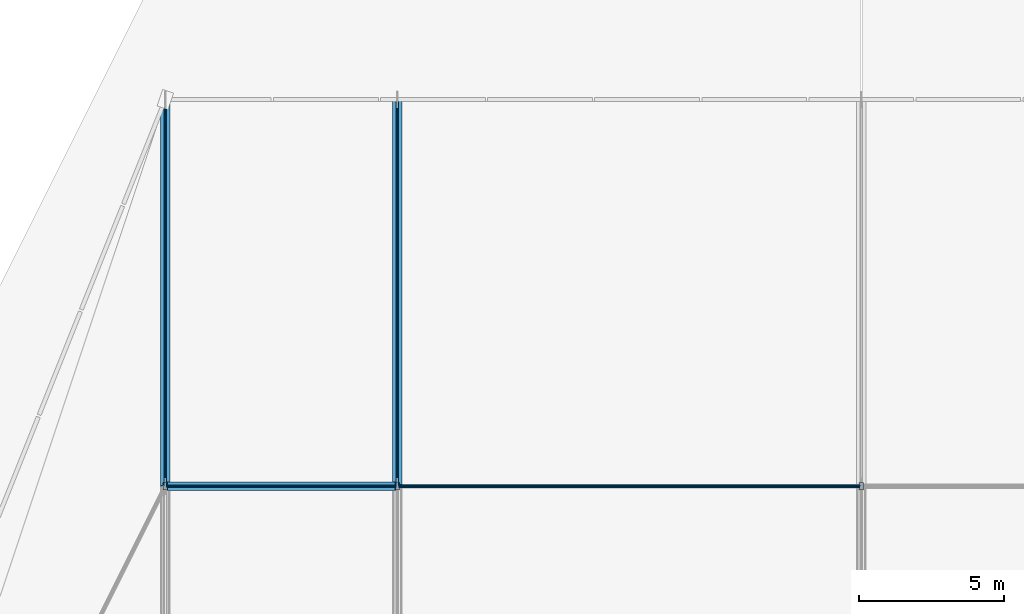
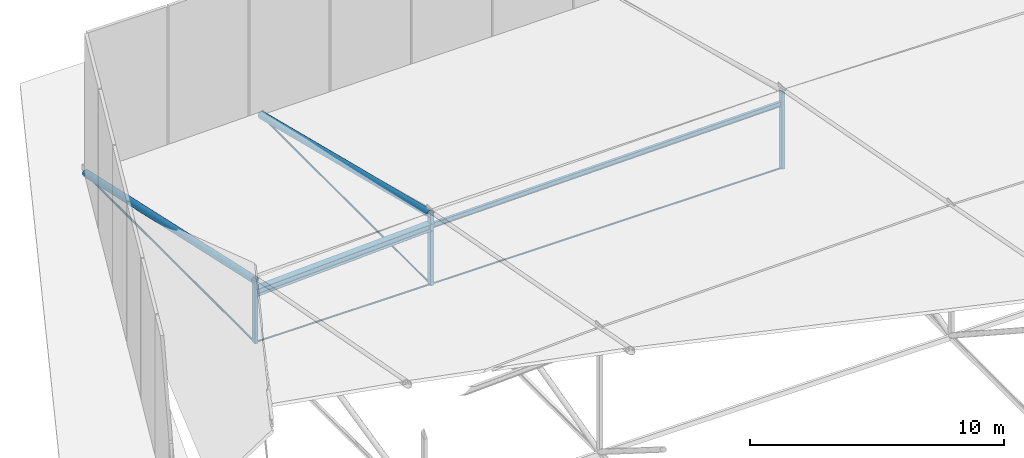
# One storey, part 18 of 30: 11 members.
"""IFC4 building model written with IfcOpenShell, lengths in metres."""

from ifc_helpers import new_model, si_unit, direction, frame, origin, origin_2d, place, context, subcontext, project, spatial, hollow_rectangle, circle, hollow_circle, i_section, extrude, material, material_profile, profile_set, type_object, element, save


model = new_model("IFC4")

# Units and contexts
model_context = context("Model", 3, precision=1e-05, world=origin(), true_north=direction((0.0, 1.0)))
body_context = subcontext(model_context, "Body", "Model", "MODEL_VIEW")
ifc_project = project(units=[si_unit("LENGTHUNIT", "METRE"), si_unit("AREAUNIT", "SQUARE_METRE"), si_unit("VOLUMEUNIT", "CUBIC_METRE"), si_unit("PLANEANGLEUNIT", "RADIAN"), si_unit("MASSUNIT", "GRAM", prefix="KILO")], contexts=[model_context])

# Site, building, storey
site_placement = place(None, origin())
site = spatial("IfcSite", under=ifc_project, at=site_placement, CompositionType="ELEMENT")
building_placement = place(site_placement, origin())
building = spatial("IfcBuilding", under=site, at=building_placement, Name="Tazarka Park Arena", CompositionType="ELEMENT")
storey_placement = place(building_placement, frame((0.0, 0.0, 29.39990234375)))
storey = spatial("IfcBuildingStorey", under=building, at=storey_placement, Name="Roof", CompositionType="ELEMENT", Elevation=29.39990234375)

# Members
ifc_material_1 = material(Name="Locked-coil steel cable S1570", Category="steel")
ifc_material_profile_1 = material_profile(ifc_material_1, circle(Radius=0.0400390625, at=origin_2d()), Name="Locked-coil steel cable S1570")
ifc_profile_set_1 = profile_set([ifc_material_profile_1], Name="Locked-coil steel cable S1570")
member_type_1 = type_object("IfcMemberType", Name="MEM-CBL-01", PredefinedType="USERDEFINED", material=ifc_profile_set_1)
member_1_placement = place(storey_placement, frame((72.0, 90.666748046875, -0.0498046875), z_axis=(0.0, 1.0, 0.0), x_axis=(-1.0, 0.0, 0.0)))
element("IfcMember", 1, at=member_1_placement, inside=storey, type_object=member_type_1, Name="CABLE CBL-01-4-6", ObjectType="CABLE", PredefinedType="USERDEFINED", context=body_context, shape_type="SweptSolid", body=[
    extrude(circle(Radius=0.0400390625, at=origin_2d()), origin(), (0.0, 0.0, 1.0), 13.333251953125),
])
member_2_placement = place(storey_placement, frame((64.0, 90.666748046875, -0.0498046875), z_axis=(1.0, 0.0, 0.0), x_axis=(0.0, 1.0, 0.0)))
element("IfcMember", 2, at=member_2_placement, inside=storey, type_object=member_type_1, Name="CABLE TRANSVERSE 3-5", ObjectType="CABLE", PredefinedType="USERDEFINED", context=body_context, shape_type="SweptSolid", body=[
    extrude(circle(Radius=0.0400390625, at=origin_2d()), origin(), (0.0, 0.0, 1.0), 8.0),
])
member_3_placement = place(storey_placement, frame((72.0, 90.666748046875, -0.0498046875), z_axis=(1.0, 0.0, 0.0), x_axis=(0.0, 1.0, 0.0)))
element("IfcMember", 3, at=member_3_placement, inside=storey, type_object=member_type_1, Name="CABLE TRANSVERSE 4-5", ObjectType="CABLE", PredefinedType="USERDEFINED", context=body_context, shape_type="SweptSolid", body=[
    extrude(circle(Radius=0.0400390625, at=origin_2d()), origin(), (0.0, 0.0, 1.0), 16.0),
])
ifc_material_2 = material(Name="Locked-coil steel cable S1570", Category="steel")
ifc_material_profile_2 = material_profile(ifc_material_2, circle(Radius=0.044921875, at=origin_2d()), Name="Locked-coil steel cable S1570")
ifc_profile_set_2 = profile_set([ifc_material_profile_2], Name="Locked-coil steel cable S1570")
member_type_2 = type_object("IfcMemberType", Name="MEM-CBL-04", PredefinedType="USERDEFINED", material=ifc_profile_set_2)
member_4_placement = place(storey_placement, frame((64.0, 90.666748046875, -0.0498046875), z_axis=(0.0, 1.0, 0.0), x_axis=(-1.0, 0.0, 0.0)))
element("IfcMember", 4, at=member_4_placement, inside=storey, type_object=member_type_2, Name="CABLE CBL-04-3-6", ObjectType="CABLE", PredefinedType="USERDEFINED", context=body_context, shape_type="SweptSolid", body=[
    extrude(circle(Radius=0.044921875, at=origin_2d()), origin(), (0.0, 0.0, 1.0), 13.333251953125),
])
ifc_material_3 = material(Name="Steel S460", Category="steel")
ifc_material_profile_3 = material_profile(ifc_material_3, hollow_circle(Radius=0.161865234375, WallThickness=0.01611328125, at=origin_2d()), Name="Steel S460")
ifc_profile_set_3 = profile_set([ifc_material_profile_3], Name="Steel S460")
member_type_3 = type_object("IfcMemberType", Name="MEM-CH-03", PredefinedType="CHORD", material=ifc_profile_set_3)
member_5_placement = place(storey_placement, frame((64.0, 90.666748046875, 2.950439453125), z_axis=(0.0, 0.976380595704, -0.216057706024), x_axis=(-1.0, 0.0, 0.0)))
element("IfcMember", 5, at=member_5_placement, inside=storey, type_object=member_type_3, Name="CABLE ARCH CHORD 3-6", PredefinedType="CHORD", context=body_context, shape_type="SweptSolid", body=[
    extrude(hollow_circle(Radius=0.161865234375, WallThickness=0.01611328125, at=origin_2d()), origin(), (0.0, 0.0, 1.0), 13.65576171875),
])
member_6_placement = place(storey_placement, frame((72.0, 90.666748046875, 3.3232421875), z_axis=(0.0, 0.970314700319, -0.241845782153), x_axis=(-1.0, 0.0, 0.0)))
element("IfcMember", 6, at=member_6_placement, inside=storey, type_object=member_type_3, Name="CABLE ARCH CHORD 4-6", PredefinedType="CHORD", context=body_context, shape_type="SweptSolid", body=[
    extrude(hollow_circle(Radius=0.161865234375, WallThickness=0.01611328125, at=origin_2d()), origin(), (0.0, 0.0, 1.0), 13.7412109375),
])
ifc_material_4 = material(Name="Steel S355", Category="steel")
ifc_material_profile_4 = material_profile(ifc_material_4, i_section(OverallWidth=0.1201171875, OverallDepth=0.239990234375, WebThickness=0.006103515625, FlangeThickness=0.009765625, FilletRadius=0.014892578125, at=origin_2d()), Name="Steel S355")
ifc_profile_set_4 = profile_set([ifc_material_profile_4], Name="Steel S355")
member_type_4 = type_object("IfcMemberType", Name="MEM-PR-01", PredefinedType="PURLIN", material=ifc_profile_set_4)
member_7_placement = place(storey_placement, frame((72.0, 90.666748046875, 2.76318359375), z_axis=(0.999826204181, 0.0, 0.018642999596), x_axis=(0.0, 1.0, 0.0)))
element("IfcMember", 7, at=member_7_placement, inside=storey, type_object=member_type_4, Name="RPM-03-05", PredefinedType="PURLIN", context=body_context, shape_type="SweptSolid", body=[
    extrude(i_section(OverallWidth=0.1201171875, OverallDepth=0.239990234375, WebThickness=0.006103515625, FlangeThickness=0.009765625, FilletRadius=0.014892578125, at=origin_2d()), origin(), (0.0, 0.0, 1.0), 16.002685546875),
])
ifc_material_5 = material(Name="Steel S355", Category="steel")
ifc_material_profile_5 = material_profile(ifc_material_5, i_section(OverallWidth=0.300048828125, OverallDepth=0.35009765625, WebThickness=0.010009765625, FlangeThickness=0.017578125, FilletRadius=0.027099609375, at=origin_2d()), Name="Steel S355")
ifc_profile_set_5 = profile_set([ifc_material_profile_5], Name="Steel S355")
member_type_5 = type_object("IfcMemberType", Name="MEM-PR-04", PredefinedType="PURLIN", material=ifc_profile_set_5)
member_8_placement = place(storey_placement, frame((64.0, 90.666748046875, 2.390380859375), z_axis=(0.998915969307, 0.0, 0.046549825596), x_axis=(0.0, 1.0, 0.0)))
element("IfcMember", 8, at=member_8_placement, inside=storey, type_object=member_type_5, Name="RPM-02-05", PredefinedType="PURLIN", context=body_context, shape_type="SweptSolid", body=[
    extrude(i_section(OverallWidth=0.300048828125, OverallDepth=0.35009765625, WebThickness=0.010009765625, FlangeThickness=0.017578125, FilletRadius=0.027099609375, at=origin_2d()), origin(), (0.0, 0.0, 1.0), 8.0087890625),
])
ifc_material_6 = material(Name="Steel S355", Category="steel")
ifc_material_profile_6 = material_profile(ifc_material_6, hollow_rectangle(XDim=0.14990234375, YDim=0.25, WallThickness=0.010009765625, at=origin_2d()), Name="Steel S355")
ifc_profile_set_6 = profile_set([ifc_material_profile_6], Name="Steel S355")
member_type_6 = type_object("IfcMemberType", Name="MEM-PT-02", PredefinedType="POST", material=ifc_profile_set_6)
member_9_placement = place(storey_placement, frame((64.0, 90.666748046875, -0.0498046875), z_axis=(0.0, 0.0, 1.0), x_axis=(1.0, 0.0, 0.0)))
element("IfcMember", 9, at=member_9_placement, inside=storey, type_object=member_type_6, Name="CBH-02-5", PredefinedType="POST", context=body_context, shape_type="SweptSolid", body=[
    extrude(hollow_rectangle(XDim=0.14990234375, YDim=0.25, WallThickness=0.010009765625, at=origin_2d()), origin(), (0.0, 0.0, 1.0), 3.000244140625),
])
member_10_placement = place(storey_placement, frame((72.0, 90.666748046875, -0.0498046875), z_axis=(0.0, 0.0, 1.0), x_axis=(1.0, 0.0, 0.0)))
element("IfcMember", 10, at=member_10_placement, inside=storey, type_object=member_type_6, Name="CBH-03-5", PredefinedType="POST", context=body_context, shape_type="SweptSolid", body=[
    extrude(hollow_rectangle(XDim=0.14990234375, YDim=0.25, WallThickness=0.010009765625, at=origin_2d()), origin(), (0.0, 0.0, 1.0), 3.373046875),
])
member_11_placement = place(storey_placement, frame((88.0, 90.666748046875, -0.0498046875), z_axis=(0.0, 0.0, 1.0), x_axis=(1.0, 0.0, 0.0)))
element("IfcMember", 11, at=member_11_placement, inside=storey, type_object=member_type_6, Name="CBH-04-5", PredefinedType="POST", context=body_context, shape_type="SweptSolid", body=[
    extrude(hollow_rectangle(XDim=0.14990234375, YDim=0.25, WallThickness=0.010009765625, at=origin_2d()), origin(), (0.0, 0.0, 1.0), 3.67138671875),
])

save(model, "model.ifc")
